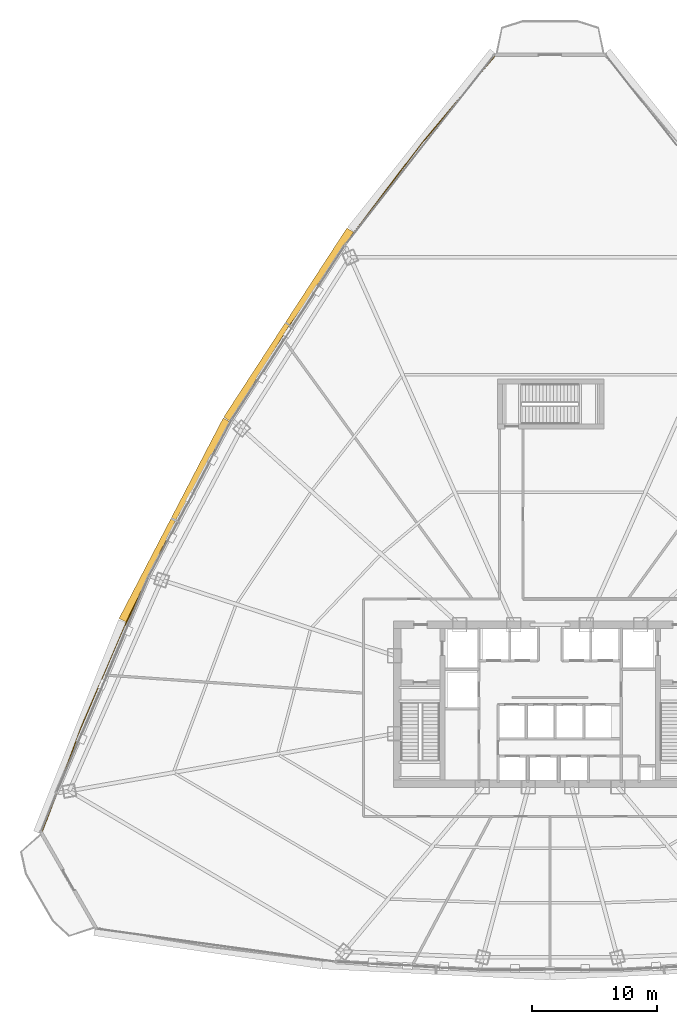
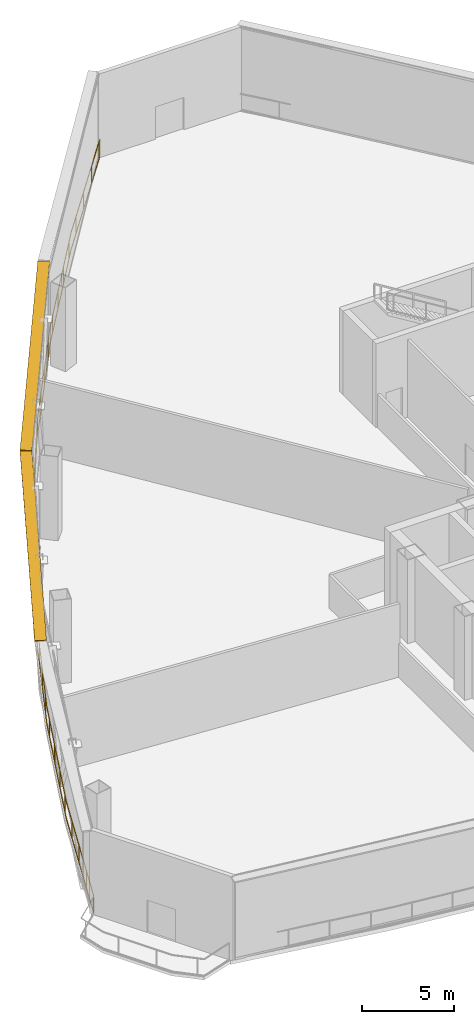
# One storey, part 34 of 36: 2 shading devices, 1 railing.
"""IFC4 building model written with IfcOpenShell, lengths in metres."""

import ifcopenshell
import ifcopenshell.guid

model = None  # the IFC model being written
_history = None  # IfcOwnerHistory: only IFC2X3 demands one
_inside = {}  # id of a spatial element -> (the spatial element, [elements in it])
_under = {}  # id of a project, library or spatial element -> (it, [spatial elements below it])
_declared = {}  # id of a project -> (the project, [libraries it declares])
_typed = {}  # id of a type object -> (the type object, [elements of that type])
_made_of = {}  # id of a material, layer set ... -> (it, [elements and type objects made of it])


def new_model(schema):
    """Start an empty IFC model of exactly this schema.

    Asked for "IFC4X3", IfcOpenShell would pick the latest addendum, in which some entities
    have other attributes; the version numbers below select the first issue.
    IFC2X3 requires an IfcOwnerHistory on every rooted entity: one is made here for all.
    """
    global model, _history
    if schema == "IFC4X3":
        model = ifcopenshell.file(schema_version=(4, 3, 0, 0))
    else:
        model = ifcopenshell.file(schema=schema)
    _inside.clear()
    _under.clear()
    _declared.clear()
    _typed.clear()
    _made_of.clear()
    _history = None
    if model.schema == "IFC2X3":
        org = make("IfcOrganization", Name="unknown")
        user = make(
            "IfcPersonAndOrganization",
            ThePerson=make("IfcPerson", FamilyName="unknown"),
            TheOrganization=org,
        )
        app = make(
            "IfcApplication",
            ApplicationDeveloper=org,
            Version="unknown",
            ApplicationFullName="unknown",
            ApplicationIdentifier="unknown",
        )
        _history = make(
            "IfcOwnerHistory",
            OwningUser=user,
            OwningApplication=app,
            ChangeAction="ADDED",
            CreationDate=0,
        )
    return model


def make(cls, **values):
    """One entity of the class cls with the attributes given. An attribute that is None is left unset."""
    return model.create_entity(
        cls, **{name: value for name, value in values.items() if value is not None}
    )


def rooted(cls, **values):
    """An entity with a GlobalId (a new one), such as an element, a storey or a relation."""
    return make(cls, GlobalId=ifcopenshell.guid.new(), OwnerHistory=_history, **values)


def si_unit(unit_type, name, prefix=None):
    """IfcSIUnit, for example si_unit("LENGTHUNIT", "METRE", prefix="MILLI")."""
    return make("IfcSIUnit", UnitType=unit_type, Prefix=prefix, Name=name)


def assignment(units):
    """IfcUnitAssignment: the units of a project."""
    return None if units is None else make("IfcUnitAssignment", Units=units)


def point(xyz):
    """IfcCartesianPoint."""
    return None if xyz is None else make("IfcCartesianPoint", Coordinates=xyz)


def direction(xyz):
    """IfcDirection."""
    return None if xyz is None else make("IfcDirection", DirectionRatios=xyz)


def frame(location, z_axis=None, x_axis=None):
    """IfcAxis2Placement3D, a coordinate frame: its origin and axes. An axis left out is left unset."""
    return make(
        "IfcAxis2Placement3D",
        Location=point(location),
        Axis=direction(z_axis),
        RefDirection=direction(x_axis),
    )


def frame_2d(location, x_axis=None):
    """IfcAxis2Placement2D, a coordinate frame in the plane: its origin and x axis."""
    return make(
        "IfcAxis2Placement2D", Location=point(location), RefDirection=direction(x_axis)
    )


def origin():
    """The frame at (0, 0, 0) with its axes left unset."""
    return frame((0.0, 0.0, 0.0))


def origin_2d():
    """The frame at (0, 0) in the plane with its x axis left unset."""
    return frame_2d((0.0, 0.0))


def place(relative_to, where):
    """IfcLocalPlacement: puts the frame where relative to a parent placement (None: the world)."""
    return make(
        "IfcLocalPlacement", PlacementRelTo=relative_to, RelativePlacement=where
    )


def context(
    kind, dimensions, precision=None, world=None, true_north=None, identifier=None
):
    """IfcGeometricRepresentationContext, for example the 3D "Model" context."""
    return make(
        "IfcGeometricRepresentationContext",
        ContextIdentifier=identifier,
        ContextType=kind,
        CoordinateSpaceDimension=dimensions,
        Precision=precision,
        WorldCoordinateSystem=world,
        TrueNorth=true_north,
    )


def subcontext(parent, identifier, kind, view, scale=None):
    """IfcGeometricRepresentationSubContext, for example "Body" below "Model"."""
    return make(
        "IfcGeometricRepresentationSubContext",
        ContextIdentifier=identifier,
        ContextType=kind,
        ParentContext=parent,
        TargetScale=scale,
        TargetView=view,
    )


def project(units=None, contexts=None):
    """IfcProject with its units and contexts."""
    return rooted(
        "IfcProject",
        Name="project",
        RepresentationContexts=contexts,
        UnitsInContext=assignment(units),
    )


def spatial(cls, under=None, at=None, **own):
    """A site, building, storey or space (cls), placed at a placement, below another one or the project."""
    s = rooted(cls, ObjectPlacement=at, **own)
    if under is not None:
        _under.setdefault(under.id(), (under, []))[1].append(s)
    return s


def profile(cls, at=None, kind="AREA", **sizes):
    """A parametric profile (cls). Its sizes go by their IFC names, for example OverallWidth=200.0."""
    return make(cls, ProfileType=kind, Position=at, **sizes)


def rectangle(**sizes):
    """IfcRectangleProfileDef."""
    return profile("IfcRectangleProfileDef", **sizes)


def extrude(swept, where, along, depth):
    """IfcExtrudedAreaSolid: the profile swept, set in the frame where, extruded along a direction by depth."""
    return make(
        "IfcExtrudedAreaSolid",
        SweptArea=swept,
        Position=where,
        ExtrudedDirection=direction(along),
        Depth=depth,
    )


def shape(context_of_items, identifier, shape_type, items):
    """IfcShapeRepresentation: the items that make up one representation, for example the "Body"."""
    return make(
        "IfcShapeRepresentation",
        ContextOfItems=context_of_items,
        RepresentationIdentifier=identifier,
        RepresentationType=shape_type,
        Items=items,
    )


def source(mapping_origin, context_of_items, identifier, shape_type, items):
    """IfcRepresentationMap: a shape defined once, which mapped items show again and again."""
    return make(
        "IfcRepresentationMap",
        MappingOrigin=mapping_origin,
        MappedRepresentation=shape(context_of_items, identifier, shape_type, items),
    )


def transform(
    local_origin,
    x_axis=None,
    y_axis=None,
    z_axis=None,
    scale=None,
    scale2=None,
    scale3=None,
    uniform=True,
):
    """IfcCartesianTransformationOperator3D, or its non-uniform kind. x_axis, y_axis, z_axis: its Axis1, 2, 3."""
    if uniform:
        return make(
            "IfcCartesianTransformationOperator3D",
            Axis1=direction(x_axis),
            Axis2=direction(y_axis),
            LocalOrigin=point(local_origin),
            Scale=scale,
            Axis3=direction(z_axis),
        )
    return make(
        "IfcCartesianTransformationOperator3DnonUniform",
        Axis1=direction(x_axis),
        Axis2=direction(y_axis),
        LocalOrigin=point(local_origin),
        Scale=scale,
        Axis3=direction(z_axis),
        Scale2=scale2,
        Scale3=scale3,
    )


def mapped(mapping_source, mapping_target):
    """IfcMappedItem: shows the shape of a source again, moved by a transform."""
    return make(
        "IfcMappedItem", MappingSource=mapping_source, MappingTarget=mapping_target
    )


def material(Name=None, Category=None):
    """IfcMaterial."""
    return make("IfcMaterial", Name=Name, Category=Category)


def layer(
    of_material, thickness, ventilated=None, Name=None, Category=None, Priority=None
):
    """IfcMaterialLayer: one layer of a wall or slab, of a material (None: an air gap)."""
    return make(
        "IfcMaterialLayer",
        Material=of_material,
        LayerThickness=thickness,
        IsVentilated=ventilated,
        Name=Name,
        Category=Category,
        Priority=Priority,
    )


def layer_set(layers, Name=None):
    """IfcMaterialLayerSet."""
    return make("IfcMaterialLayerSet", MaterialLayers=layers, LayerSetName=Name)


def made_of(thing, what):
    """Note that an element or type object is made of a material, layer set ...; save() writes the relation."""
    if what is not None:
        _made_of.setdefault(what.id(), (what, []))[1].append(thing)
    return thing


def type_object(cls, material=None, **own):
    """A type object (cls), such as IfcWallType, which elements share."""
    return made_of(rooted(cls, **own), material)


def element(
    cls,
    number,
    at=None,
    inside=None,
    cuts=None,
    type_object=None,
    material=None,
    context=None,
    identifier="Body",
    shape_type=None,
    held_by="IfcProductDefinitionShape",
    body=None,
    shapes=None,
    **own,
):
    """One element of the class cls, such as IfcWall. Its Tag is "e" and its number.

    at: its placement. inside: the storey or other place that contains it. cuts: it is an
    opening in that element (IfcRelVoidsElement). A single representation is given by context,
    identifier, shape_type and body (its items); several are given by shapes. held_by: the class
    of the entity that holds the representations. save() writes the other relations.
    """
    e = rooted(cls, Tag="e%d" % number, ObjectPlacement=at, **own)
    if body is not None:
        shapes = [shape(context, identifier, shape_type, body)]
    if shapes is not None:
        e.Representation = make(held_by, Representations=shapes)
    if inside is not None:
        _inside.setdefault(inside.id(), (inside, []))[1].append(e)
    if cuts is not None:
        rooted(
            "IfcRelVoidsElement", RelatingBuildingElement=cuts, RelatedOpeningElement=e
        )
    if type_object is not None:
        _typed.setdefault(type_object.id(), (type_object, []))[1].append(e)
    return made_of(e, material)


def aggregate(whole, parts):
    """IfcRelAggregates: a whole, such as a stair, and the parts it consists of."""
    return rooted("IfcRelAggregates", RelatingObject=whole, RelatedObjects=parts)


def save(model, path):
    """Write the relations noted so far, then the file.

    IfcRelAggregates (storeys below a building ...), IfcRelContainedInSpatialStructure (elements
    in a storey), IfcRelDefinesByType, IfcRelAssociatesMaterial and IfcRelDeclares: one each for
    every whole, place, type object, material and project.
    """
    for whole, parts in _under.values():
        aggregate(whole, parts)
    for where, things in _inside.values():
        rooted(
            "IfcRelContainedInSpatialStructure",
            RelatedElements=things,
            RelatingStructure=where,
        )
    for kind, things in _typed.values():
        rooted("IfcRelDefinesByType", RelatedObjects=things, RelatingType=kind)
    for what, things in _made_of.values():
        rooted("IfcRelAssociatesMaterial", RelatedObjects=things, RelatingMaterial=what)
    for by, libraries in _declared.values():
        rooted("IfcRelDeclares", RelatingContext=by, RelatedDefinitions=libraries)
    model.write(path)


model = new_model("IFC4")

# Units and contexts
model_context = context("Model", 3, precision=1e-05, world=origin(), true_north=direction((0.0, 1.0)))
body_context = subcontext(model_context, "Body", "Model", "MODEL_VIEW")
ifc_project = project(units=[si_unit("LENGTHUNIT", "METRE"), si_unit("AREAUNIT", "SQUARE_METRE"), si_unit("VOLUMEUNIT", "CUBIC_METRE"), si_unit("PLANEANGLEUNIT", "RADIAN"), si_unit("MASSUNIT", "GRAM", prefix="KILO"), si_unit("THERMODYNAMICTEMPERATUREUNIT", "KELVIN"), si_unit("POWERUNIT", "WATT")], contexts=[model_context])

# Site, building, storey
site_placement = place(None, origin())
site = spatial("IfcSite", under=ifc_project, at=site_placement, CompositionType="ELEMENT")
building_placement = place(site_placement, origin())
building = spatial("IfcBuilding", under=site, at=building_placement, Name="Yunzhuo Pagoda Commons", CompositionType="ELEMENT")
storey_placement = place(building_placement, frame((0.0, 0.0, 119.179931640625)))
storey = spatial("IfcBuildingStorey", under=building, at=storey_placement, Name="L30", CompositionType="ELEMENT", Elevation=119.179931640625)

# Railing
ifc_material = material(Name="Anodized aluminium 6063-T6", Category="aluminium")
railing_type = type_object("IfcRailingType", Name="RL-SIL1 Curtain-Wall Sill Safety Guardrail 1180", PredefinedType="GUARDRAIL", material=ifc_material)
railing_placement = place(storey_placement, frame((7.4453125, 23.596923828125, 0.0)))
element("IfcRailing", 1, at=railing_placement, inside=storey, type_object=railing_type, Name="L30 curtain-wall sill safety rail 1", PredefinedType="GUARDRAIL", context=body_context, shape_type="SweptSolid", body=[
    extrude(rectangle(XDim=0.048095703125, YDim=0.048095703125, at=origin_2d()), frame((0.0, 0.0, 1.15576171875), z_axis=(0.350690419502, 0.936491446661, 0.0), x_axis=(-0.936491446661, 0.350690419502, 0.0)), (0.0, 0.0, 1.0), 9.021728515625),
    extrude(rectangle(XDim=0.048095703125, YDim=0.048095703125, at=origin_2d()), frame((0.0, 0.0, 0.02392578125), z_axis=(0.350690419502, 0.936491446661, 0.0), x_axis=(-0.936491446661, 0.350690419502, 0.0)), (0.0, 0.0, 1.0), 9.021728515625),
    extrude(rectangle(XDim=0.048095703125, YDim=0.048095703125, at=origin_2d()), frame((3.163818359375, 8.44873046875, 1.15576171875), z_axis=(0.395259766557, 0.918569386024, 0.0), x_axis=(-0.918569386024, 0.395259766557, 0.0)), (0.0, 0.0, 1.0), 9.075439453125),
    extrude(rectangle(XDim=0.048095703125, YDim=0.048095703125, at=origin_2d()), frame((3.163818359375, 8.44873046875, 0.02392578125), z_axis=(0.395259766557, 0.918569386024, 0.0), x_axis=(-0.918569386024, 0.395259766557, 0.0)), (0.0, 0.0, 1.0), 9.075439453125),
    extrude(rectangle(XDim=0.048095703125, YDim=0.048095703125, at=origin_2d()), frame((6.7509765625, 16.78515625, 1.15576171875), z_axis=(0.439368651604, 0.898306845119, 0.0), x_axis=(-0.898306845119, 0.439368651604, 0.0)), (0.0, 0.0, 1.0), 9.0322265625),
    extrude(rectangle(XDim=0.048095703125, YDim=0.048095703125, at=origin_2d()), frame((6.7509765625, 16.78515625, 0.02392578125), z_axis=(0.439368651604, 0.898306845119, 0.0), x_axis=(-0.898306845119, 0.439368651604, 0.0)), (0.0, 0.0, 1.0), 9.0322265625),
    extrude(rectangle(XDim=0.048095703125, YDim=0.048095703125, at=origin_2d()), frame((10.719482421875, 24.89892578125, 1.15576171875), z_axis=(0.48280155504, 0.875729786208, 0.0), x_axis=(-0.875729786208, 0.48280155504, 0.0)), (0.0, 0.0, 1.0), 9.0107421875),
    extrude(rectangle(XDim=0.048095703125, YDim=0.048095703125, at=origin_2d()), frame((10.719482421875, 24.89892578125, 0.02392578125), z_axis=(0.48280155504, 0.875729786208, 0.0), x_axis=(-0.875729786208, 0.48280155504, 0.0)), (0.0, 0.0, 1.0), 9.0107421875),
    extrude(rectangle(XDim=0.048095703125, YDim=0.048095703125, at=origin_2d()), frame((15.06982421875, 32.789794921875, 1.15576171875), z_axis=(0.525146156069, 0.851012053244, 0.0), x_axis=(-0.851012053244, 0.525146156069, 0.0)), (0.0, 0.0, 1.0), 9.0107421875),
    extrude(rectangle(XDim=0.048095703125, YDim=0.048095703125, at=origin_2d()), frame((15.06982421875, 32.789794921875, 0.02392578125), z_axis=(0.525146156069, 0.851012053244, 0.0), x_axis=(-0.851012053244, 0.525146156069, 0.0)), (0.0, 0.0, 1.0), 9.0107421875),
    extrude(rectangle(XDim=0.048095703125, YDim=0.048095703125, at=origin_2d()), frame((19.8017578125, 40.4580078125, 1.15576171875), z_axis=(0.566161680538, 0.824294214155, 0.0), x_axis=(-0.824294214155, 0.566161680538, 0.0)), (0.0, 0.0, 1.0), 9.0322265625),
    extrude(rectangle(XDim=0.048095703125, YDim=0.048095703125, at=origin_2d()), frame((19.8017578125, 40.4580078125, 0.02392578125), z_axis=(0.566161680538, 0.824294214155, 0.0), x_axis=(-0.824294214155, 0.566161680538, 0.0)), (0.0, 0.0, 1.0), 9.0322265625),
    extrude(rectangle(XDim=0.048095703125, YDim=0.048095703125, at=origin_2d()), frame((24.91552734375, 47.9033203125, 1.15576171875), z_axis=(0.605525165973, 0.795826157759, 0.0), x_axis=(-0.795826157759, 0.605525165973, 0.0)), (0.0, 0.0, 1.0), 9.075439453125),
    extrude(rectangle(XDim=0.048095703125, YDim=0.048095703125, at=origin_2d()), frame((24.91552734375, 47.9033203125, 0.02392578125), z_axis=(0.605525165973, 0.795826157759, 0.0), x_axis=(-0.795826157759, 0.605525165973, 0.0)), (0.0, 0.0, 1.0), 9.075439453125),
    extrude(rectangle(XDim=0.048095703125, YDim=0.048095703125, at=origin_2d()), frame((30.410888671875, 55.125732421875, 1.15576171875), z_axis=(0.643016940544, 0.76585195317, 0.0), x_axis=(-0.76585195317, 0.643016940544, 0.0)), (0.0, 0.0, 1.0), 9.0234375),
    extrude(rectangle(XDim=0.048095703125, YDim=0.048095703125, at=origin_2d()), frame((30.410888671875, 55.125732421875, 0.02392578125), z_axis=(0.643016940544, 0.76585195317, 0.0), x_axis=(-0.76585195317, 0.643016940544, 0.0)), (0.0, 0.0, 1.0), 9.0234375),
    extrude(rectangle(XDim=0.0419921875, YDim=0.0419921875, at=origin_2d()), origin(), (0.0, 0.0, 1.0), 1.1318359375),
    extrude(rectangle(XDim=0.0419921875, YDim=0.0419921875, at=origin_2d()), frame((0.841552734375, 2.24755859375, 0.0)), (0.0, 0.0, 1.0), 1.1318359375),
    extrude(rectangle(XDim=0.0419921875, YDim=0.0419921875, at=origin_2d()), frame((1.683349609375, 4.4951171875, 0.0)), (0.0, 0.0, 1.0), 1.1318359375),
    extrude(rectangle(XDim=0.0419921875, YDim=0.0419921875, at=origin_2d()), frame((2.52490234375, 6.74267578125, 0.0)), (0.0, 0.0, 1.0), 1.1318359375),
    extrude(rectangle(XDim=0.0419921875, YDim=0.0419921875, at=origin_2d()), frame((3.392333984375, 8.97998046875, 0.0)), (0.0, 0.0, 1.0), 1.1318359375),
    extrude(rectangle(XDim=0.0419921875, YDim=0.0419921875, at=origin_2d()), frame((4.341064453125, 11.1845703125, 0.0)), (0.0, 0.0, 1.0), 1.1318359375),
    extrude(rectangle(XDim=0.0419921875, YDim=0.0419921875, at=origin_2d()), frame((5.28955078125, 13.38916015625, 0.0)), (0.0, 0.0, 1.0), 1.1318359375),
    extrude(rectangle(XDim=0.0419921875, YDim=0.0419921875, at=origin_2d()), frame((6.23828125, 15.59375, 0.0)), (0.0, 0.0, 1.0), 1.1318359375),
    extrude(rectangle(XDim=0.0419921875, YDim=0.0419921875, at=origin_2d()), frame((7.235595703125, 17.77587890625, 0.0)), (0.0, 0.0, 1.0), 1.1318359375),
    extrude(rectangle(XDim=0.0419921875, YDim=0.0419921875, at=origin_2d()), frame((8.2900390625, 19.931884765625, 0.0)), (0.0, 0.0, 1.0), 1.1318359375),
    extrude(rectangle(XDim=0.0419921875, YDim=0.0419921875, at=origin_2d()), frame((9.344482421875, 22.087646484375, 0.0)), (0.0, 0.0, 1.0), 1.1318359375),
    extrude(rectangle(XDim=0.0419921875, YDim=0.0419921875, at=origin_2d()), frame((10.39892578125, 24.24365234375, 0.0)), (0.0, 0.0, 1.0), 1.1318359375),
    extrude(rectangle(XDim=0.0419921875, YDim=0.0419921875, at=origin_2d()), frame((11.526123046875, 26.36181640625, 0.0)), (0.0, 0.0, 1.0), 1.1318359375),
    extrude(rectangle(XDim=0.0419921875, YDim=0.0419921875, at=origin_2d()), frame((12.684814453125, 28.463623046875, 0.0)), (0.0, 0.0, 1.0), 1.1318359375),
    extrude(rectangle(XDim=0.0419921875, YDim=0.0419921875, at=origin_2d()), frame((13.843505859375, 30.5654296875, 0.0)), (0.0, 0.0, 1.0), 1.1318359375),
    extrude(rectangle(XDim=0.0419921875, YDim=0.0419921875, at=origin_2d()), frame((16.256591796875, 34.713134765625, 0.0)), (0.0, 0.0, 1.0), 1.1318359375),
    extrude(rectangle(XDim=0.0419921875, YDim=0.0419921875, at=origin_2d()), frame((17.51708984375, 36.75537109375, 0.0)), (0.0, 0.0, 1.0), 1.1318359375),
    extrude(rectangle(XDim=0.0419921875, YDim=0.0419921875, at=origin_2d()), frame((18.77734375, 38.7978515625, 0.0)), (0.0, 0.0, 1.0), 1.1318359375),
    extrude(rectangle(XDim=0.0419921875, YDim=0.0419921875, at=origin_2d()), frame((20.05615234375, 40.828369140625, 0.0)), (0.0, 0.0, 1.0), 1.1318359375),
    extrude(rectangle(XDim=0.0419921875, YDim=0.0419921875, at=origin_2d()), frame((21.414794921875, 42.806640625, 0.0)), (0.0, 0.0, 1.0), 1.1318359375),
    extrude(rectangle(XDim=0.0419921875, YDim=0.0419921875, at=origin_2d()), frame((22.773681640625, 44.784912109375, 0.0)), (0.0, 0.0, 1.0), 1.1318359375),
    extrude(rectangle(XDim=0.0419921875, YDim=0.0419921875, at=origin_2d()), frame((24.132568359375, 46.76318359375, 0.0)), (0.0, 0.0, 1.0), 1.1318359375),
    extrude(rectangle(XDim=0.0419921875, YDim=0.0419921875, at=origin_2d()), frame((25.53125, 48.712646484375, 0.0)), (0.0, 0.0, 1.0), 1.1318359375),
    extrude(rectangle(XDim=0.0419921875, YDim=0.0419921875, at=origin_2d()), frame((26.984619140625, 50.62255859375, 0.0)), (0.0, 0.0, 1.0), 1.1318359375),
    extrude(rectangle(XDim=0.0419921875, YDim=0.0419921875, at=origin_2d()), frame((28.437744140625, 52.532470703125, 0.0)), (0.0, 0.0, 1.0), 1.1318359375),
    extrude(rectangle(XDim=0.0419921875, YDim=0.0419921875, at=origin_2d()), frame((29.89111328125, 54.442626953125, 0.0)), (0.0, 0.0, 1.0), 1.1318359375),
    extrude(rectangle(XDim=0.0419921875, YDim=0.0419921875, at=origin_2d()), frame((31.402099609375, 56.306396484375, 0.0)), (0.0, 0.0, 1.0), 1.1318359375),
    extrude(rectangle(XDim=0.0419921875, YDim=0.0419921875, at=origin_2d()), frame((32.9453125, 58.144287109375, 0.0)), (0.0, 0.0, 1.0), 1.1318359375),
    extrude(rectangle(XDim=0.0419921875, YDim=0.0419921875, at=origin_2d()), frame((34.488525390625, 59.982421875, 0.0)), (0.0, 0.0, 1.0), 1.1318359375),
    extrude(rectangle(XDim=0.0419921875, YDim=0.0419921875, at=origin_2d()), frame((36.03173828125, 61.820556640625, 0.0)), (0.0, 0.0, 1.0), 1.1318359375),
    extrude(rectangle(XDim=0.0419921875, YDim=0.0419921875, at=origin_2d()), frame((36.213134765625, 62.036376953125, 0.0)), (0.0, 0.0, 1.0), 1.1318359375),
])

# Shading devices
ifc_layer = layer(ifc_material, 0.080078125)
ifc_layer_set = layer_set([ifc_layer], Name="Anodized aluminium 6063-T6")
shading_device_type = type_object("IfcShadingDeviceType", Name="SH-SUN1 Pagoda Horizontal Sunshade Eave 650", PredefinedType="USERDEFINED", material=ifc_layer_set)
shared_shape = source(origin(), body_context, "Body", "SweptSolid", [
    extrude(rectangle(XDim=18.00732421875, YDim=0.64990234375, at=origin_2d()), origin(), (0.0, 0.0, 1.0), 0.080078125),
])
for number, where, z_axis, x_axis, name in (
    (2, (27.1533203125, 64.12890625, 5.489990234375), (0.0, 0.0, 1.0), (-0.545853380833, -0.837880711458, 0.0), "L30 horizontal pagoda sunshade eave F3.2"),
    (3, (18.053955078125, 48.541259765625, 5.489990234375), (0.0, 0.0, 1.0), (-0.461206683033, -0.88729273384, 0.0), "L30 horizontal pagoda sunshade eave F3.3"),
):
    element("IfcShadingDevice", number, at=place(storey_placement, frame(where, z_axis=z_axis, x_axis=x_axis)), inside=storey, type_object=shading_device_type, Name=name, ObjectType="SUNSHADE", PredefinedType="USERDEFINED", context=body_context, shape_type="MappedRepresentation", body=[
        mapped(shared_shape, transform((0.0, 0.0, 0.0), scale=1.0)),
    ])

save(model, "model.ifc")
